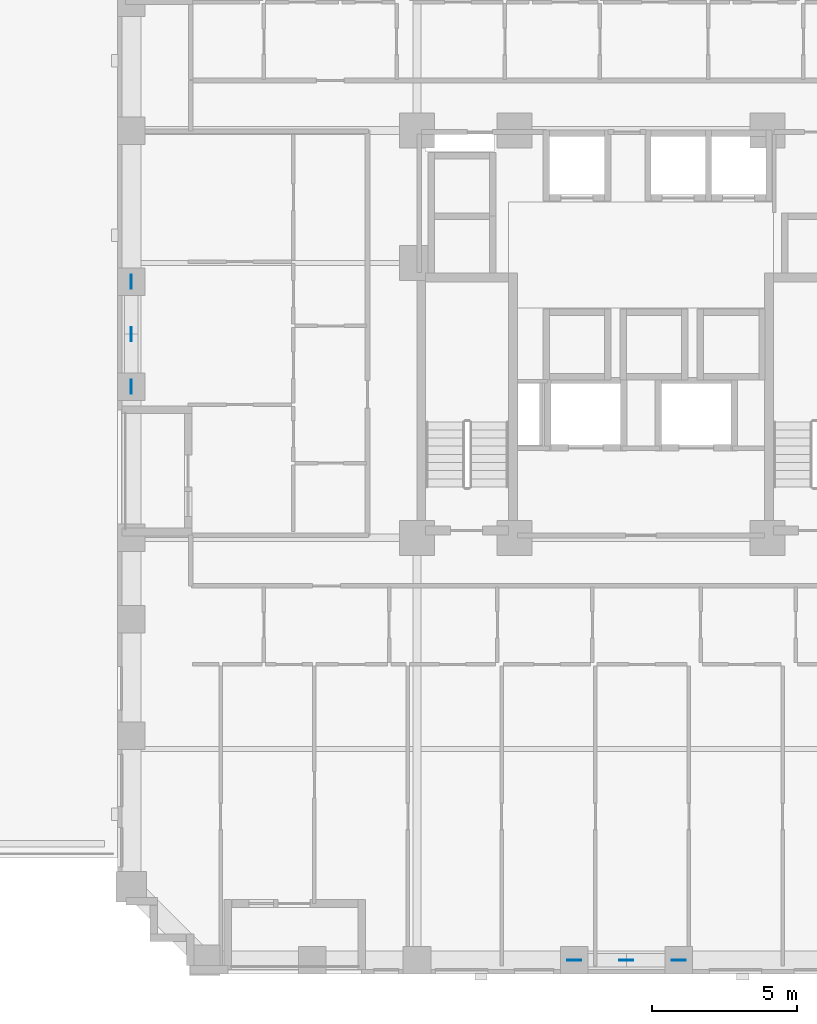
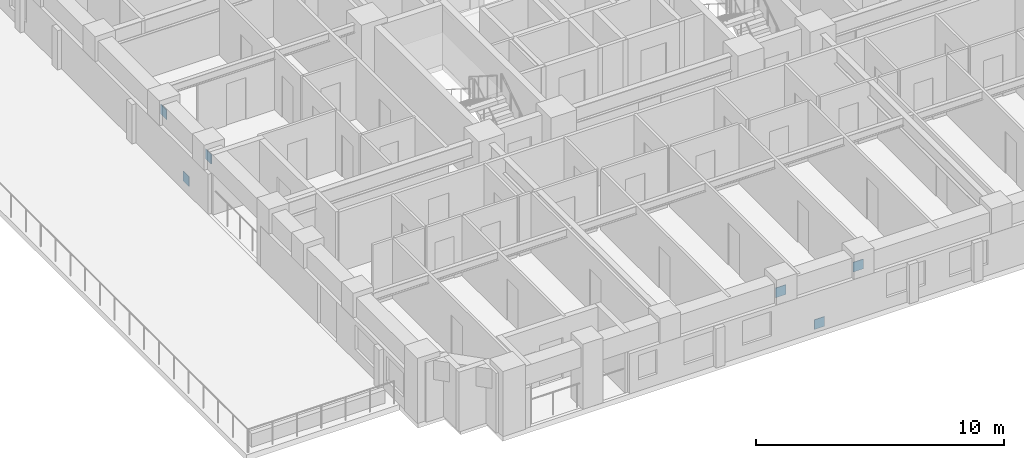
# One storey, part 10 of 14: 6 discrete accessories.
"""IFC4 building model written with IfcOpenShell, lengths in metres."""

from ifc_helpers import new_model, si_unit, derived_unit, direction, frame, origin, origin_2d, place, context, subcontext, project, spatial, rectangle, extrude, material, layer, layer_set, type_object, element, save


model = new_model("IFC4")

# Units and contexts
model_context = context("Model", 3, precision=1e-05, world=origin(), true_north=direction((0.0, 1.0)))
body_context = subcontext(model_context, "Body", "Model", "MODEL_VIEW")
ifc_project = project(units=[si_unit("LENGTHUNIT", "METRE"), si_unit("AREAUNIT", "SQUARE_METRE"), si_unit("VOLUMEUNIT", "CUBIC_METRE"), si_unit("PLANEANGLEUNIT", "RADIAN"), si_unit("MASSUNIT", "GRAM", prefix="KILO"), derived_unit("THERMALTRANSMITTANCEUNIT", [(si_unit("MASSUNIT", "GRAM", prefix="KILO"), 1), (si_unit("TIMEUNIT", "SECOND"), -3), (si_unit("THERMODYNAMICTEMPERATUREUNIT", "KELVIN"), -1)])], contexts=[model_context])

# Site, building, storey
site_placement = place(None, origin())
site = spatial("IfcSite", under=ifc_project, at=site_placement, CompositionType="ELEMENT")
building_placement = place(site_placement, origin())
building = spatial("IfcBuilding", under=site, at=building_placement, Name="Korrvale Station Residences", CompositionType="ELEMENT")
storey_placement = place(building_placement, frame((0.0, 0.0, 25.800048828125)))
storey = spatial("IfcBuildingStorey", under=building, at=storey_placement, Name="L05", CompositionType="ELEMENT", Elevation=25.800048828125)

# Discrete accessories
ifc_material = material(Name="Steel S355", Category="steel")
ifc_layer = layer(ifc_material, 0.02490234375, Name="Steel S355")
ifc_layer_set = layer_set([ifc_layer], Name="Steel S355")
discrete_accessory_type = type_object("IfcDiscreteAccessoryType", Name="ACC-GUSSET-25", PredefinedType="BRACKET", material=ifc_layer_set)
for number, where, z_axis, x_axis, name in (
    (1, (25.0, 0.47998046875, -0.219970703125), (0.0, 0.0, 1.0), (1.0, 0.0, 0.0), "L05 S Brace End Gusset Connection M"),
    (2, (23.199951171875, 0.47998046875, 1.969970703125), (0.0, 0.0, 1.0), (1.0, 0.0, 0.0), "L05 S Brace End Gusset Connection A"),
    (3, (26.800048828125, 0.47998046875, 1.969970703125), (0.0, 0.0, 1.0), (1.0, 0.0, 0.0), "L05 S Brace End Gusset Connection B"),
    (4, (7.97998046875, 22.0, -0.219970703125), (0.0, 0.0, 1.0), (0.0, 1.0, 0.0), "L05 W Brace End Gusset Connection M"),
    (5, (7.97998046875, 20.199951171875, 1.969970703125), (0.0, 0.0, 1.0), (0.0, 1.0, 0.0), "L05 W Brace End Gusset Connection A"),
    (6, (7.97998046875, 23.800048828125, 1.969970703125), (0.0, 0.0, 1.0), (0.0, 1.0, 0.0), "L05 W Brace End Gusset Connection B"),
):
    element("IfcDiscreteAccessory", number, at=place(storey_placement, frame(where, z_axis=z_axis, x_axis=x_axis)), inside=storey, type_object=discrete_accessory_type, Name=name, PredefinedType="BRACKET", context=body_context, shape_type="SweptSolid", body=[
        extrude(rectangle(XDim=0.47998046875, YDim=0.02490234375, at=origin_2d()), origin(), (0.0, 0.0, 1.0), 0.47998046875),
    ])

save(model, "model.ifc")
